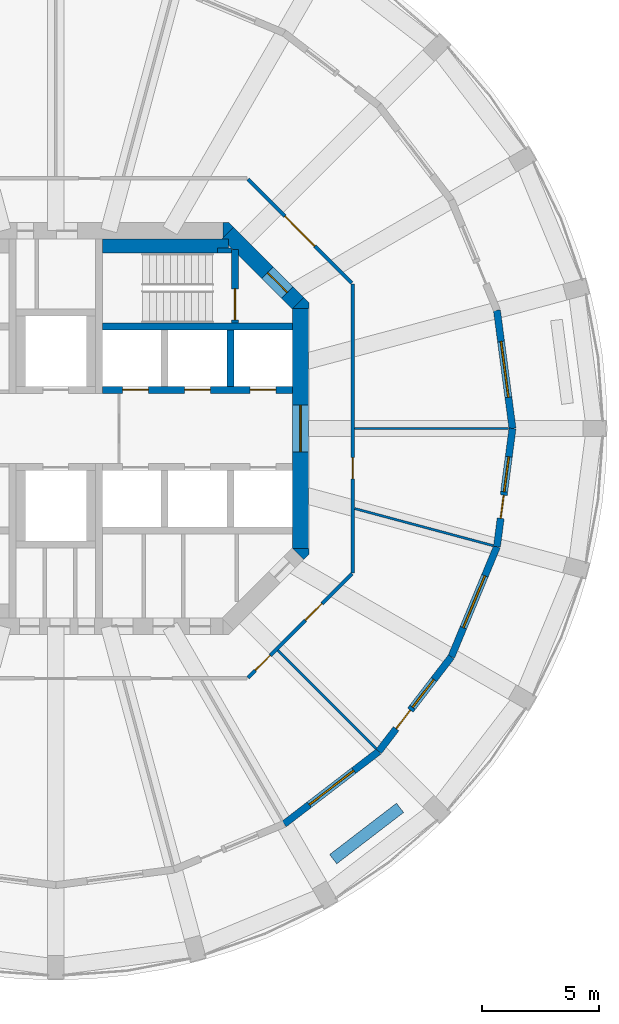
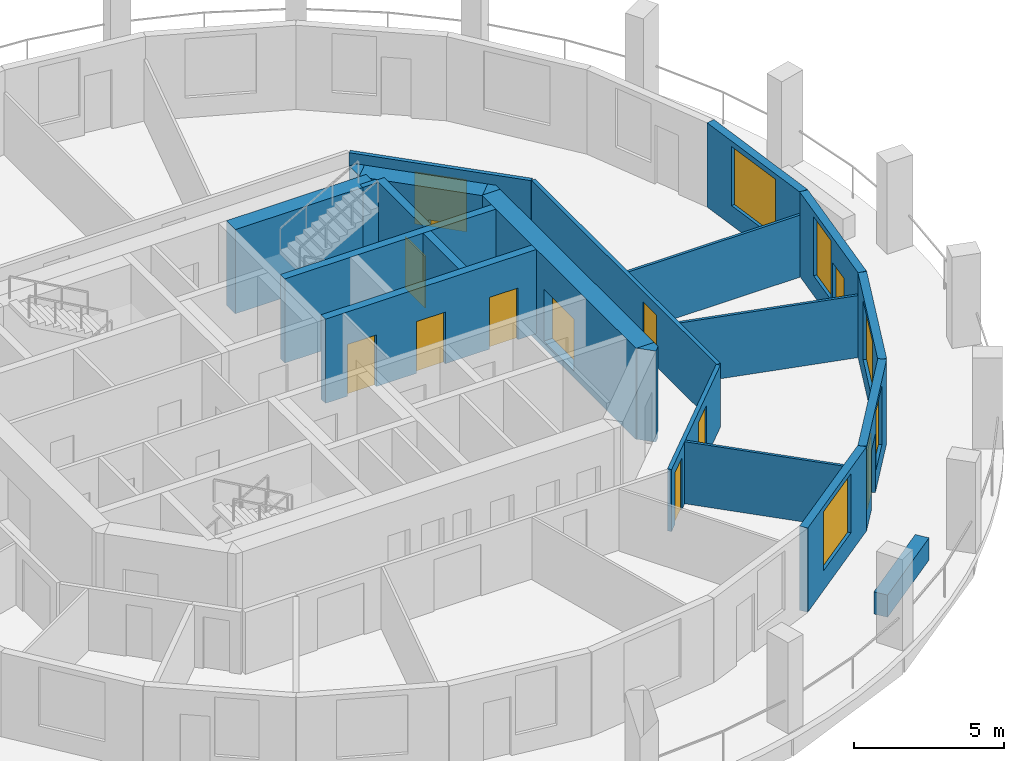
# One storey, part 5 of 9: 23 walls, 12 doors, 5 windows, 17 openings.
"""IFC4 building model written with IfcOpenShell, lengths in metres."""

from ifc_helpers import new_model, si_unit, direction, frame, frame_2d, origin, place, context, subcontext, project, spatial, polyline, rectangle, outline, extrude, material, layer, layer_set, type_object, element, fill, save


model = new_model("IFC4")

# Units and contexts
model_context = context("Model", 3, precision=1e-05, world=origin(), true_north=direction((0.0, 1.0)))
body_context = subcontext(model_context, "Body", "Model", "MODEL_VIEW")
ifc_project = project(units=[si_unit("LENGTHUNIT", "METRE"), si_unit("AREAUNIT", "SQUARE_METRE"), si_unit("VOLUMEUNIT", "CUBIC_METRE"), si_unit("PLANEANGLEUNIT", "RADIAN"), si_unit("MASSUNIT", "GRAM", prefix="KILO")], contexts=[model_context])

# Site, building, storey
site_placement = place(None, origin())
site = spatial("IfcSite", under=ifc_project, at=site_placement, CompositionType="ELEMENT")
building_placement = place(site_placement, origin())
building = spatial("IfcBuilding", under=site, at=building_placement, Name="Torre Triforio", CompositionType="ELEMENT")
storey_placement = place(building_placement, frame((0.0, 0.0, 215.0)))
storey = spatial("IfcBuildingStorey", under=building, at=storey_placement, Name="L49", CompositionType="ELEMENT", Elevation=215.0)

# Wall, opening, door
ifc_material_1 = material(Name="Concrete C50", Category="concrete")
ifc_layer_1 = layer(ifc_material_1, 0.699951171875)
ifc_layer_set_1 = layer_set([ifc_layer_1], Name="Concrete C50")
wall_type_1 = type_object("IfcWallType", Name="Core wall 700 mm C50 EI 120", PredefinedType="SHEAR", material=ifc_layer_set_1)
wall_1_placement = place(storey_placement, frame((10.449951171875, -5.1298828125, -0.280029296875), z_axis=(0.0, 0.0, 1.0), x_axis=(0.0, 1.0, 0.0)))
wall_1 = element("IfcWall", 1, at=wall_1_placement, inside=storey, type_object=wall_type_1, Name="Core wall", PredefinedType="SHEAR", context=body_context, shape_type="SweptSolid", body=[
    extrude(rectangle(XDim=10.259765625, YDim=0.699951171875, at=frame_2d((5.1298828125, 0.0))), origin(), (0.0, 0.0, 1.0), 3.699951171875),
])
opening_1_placement = place(wall_1_placement, frame((4.1298828125, 0.0, 0.280029296875)))
opening_1 = element("IfcOpeningElement", 2, at=opening_1_placement, cuts=wall_1, Name="Opening E-RING", PredefinedType="OPENING", context=body_context, shape_type="SweptSolid", body=[
    extrude(rectangle(XDim=2.0, YDim=2.10009765625, at=frame_2d((1.0, 1.050048828125))), frame((0.0, 0.35986328125, 0.0), z_axis=(0.0, -1.0, 0.0), x_axis=(1.0, 0.0, 0.0)), (0.0, 0.0, 1.0), 0.719970703125),
])
ifc_material_2 = material(Name="Hollow metal fire door leaf")
door_type_1 = type_object("IfcDoorType", Name="Lobby door 2000 x 2100 EI 60", OperationType="DOUBLE_DOOR_SINGLE_SWING", PredefinedType="DOOR", material=ifc_material_2)
door_1_placement = place(opening_1_placement, origin())
door_1 = element("IfcDoor", 3, at=door_1_placement, inside=storey, type_object=door_type_1, Name="Core door E-RING", OperationType="DOUBLE_DOOR_SINGLE_SWING", OverallHeight=2.10009765625, OverallWidth=2.0, PredefinedType="DOOR", context=body_context, shape_type="SweptSolid", body=[
    extrude(rectangle(XDim=2.0, YDim=2.10009765625, at=frame_2d((1.0, 1.050048828125))), frame((0.0, 0.02490234375, 0.0), z_axis=(0.0, -1.0, 0.0), x_axis=(1.0, 0.0, 0.0)), (0.0, 0.0, 1.0), 0.050048828125),
])
fill(opening_1, door_1)

wall_2_placement = place(storey_placement, frame((7.347412109375, 8.347412109375, -0.280029296875), z_axis=(0.0, 0.0, 1.0), x_axis=(0.707106781187, -0.707106781187, 0.0)))
wall_2 = element("IfcWall", 4, at=wall_2_placement, inside=storey, type_object=wall_type_1, Name="Core wall", PredefinedType="SHEAR", context=body_context, shape_type="SweptSolid", body=[
    extrude(rectangle(XDim=4.24267578125, YDim=0.699951171875, at=frame_2d((2.121337890625, 0.0))), origin(), (0.0, 0.0, 1.0), 3.699951171875),
])
opening_2_placement = place(wall_2_placement, frame((2.392578125, 0.0, 0.280029296875)))
opening_2 = element("IfcOpeningElement", 5, at=opening_2_placement, cuts=wall_2, Name="Opening ST2-EXIT", PredefinedType="OPENING", context=body_context, shape_type="SweptSolid", body=[
    extrude(rectangle(XDim=1.199951171875, YDim=2.10009765625, at=frame_2d((0.60009765625, 1.050048828125))), frame((0.0, 0.35986328125, 0.0), z_axis=(0.0, -1.0, 0.0), x_axis=(1.0, 0.0, 0.0)), (0.0, 0.0, 1.0), 0.719970703125),
])
door_type_2 = type_object("IfcDoorType", Name="Stair lobby door 1200 x 2100 EI 60", OperationType="NOTDEFINED", PredefinedType="DOOR", material=ifc_material_2)
door_2_placement = place(opening_2_placement, origin())
door_2 = element("IfcDoor", 6, at=door_2_placement, inside=storey, type_object=door_type_2, Name="Core door ST2-EXIT", OperationType="SINGLE_SWING_RIGHT", OverallHeight=2.10009765625, OverallWidth=1.199951171875, PredefinedType="DOOR", context=body_context, shape_type="SweptSolid", body=[
    extrude(rectangle(XDim=1.199951171875, YDim=2.10009765625, at=frame_2d((0.60009765625, 1.050048828125))), frame((0.0, 0.02490234375, 0.0), z_axis=(0.0, -1.0, 0.0), x_axis=(1.0, 0.0, 0.0)), (0.0, 0.0, 1.0), 0.050048828125),
])
fill(opening_2, door_2)

# Walls
wall_3_placement = place(storey_placement, frame((0.0, 0.0, -0.280029296875)))
element("IfcWall", 7, at=wall_3_placement, inside=storey, type_object=wall_type_1, Name="Core wall", PredefinedType="SHEAR", context=body_context, shape_type="SweptSolid", body=[
    extrude(outline(polyline([(10.800048828125, -5.389892578125), (10.594970703125, -5.594970703125), (10.594970703125, -5.594970703125), (10.594970703125, -5.594970703125), (10.1298828125, -5.1298828125), (10.800048828125, -5.1298828125), (10.800048828125, -5.1298828125), (10.800048828125, -5.389892578125)])), origin(), (0.0, 0.0, 1.0), 3.699951171875),
])
wall_4_placement = place(storey_placement, frame((0.0, 0.0, -0.280029296875)))
element("IfcWall", 8, at=wall_4_placement, inside=storey, type_object=wall_type_1, Name="Core wall", PredefinedType="SHEAR", context=body_context, shape_type="SweptSolid", body=[
    extrude(outline(polyline([(10.800048828125, 5.389892578125), (10.800048828125, 5.1298828125), (10.800048828125, 5.1298828125), (10.1298828125, 5.1298828125), (10.594970703125, 5.594970703125), (10.594970703125, 5.594970703125), (10.594970703125, 5.594970703125), (10.800048828125, 5.389892578125)])), origin(), (0.0, 0.0, 1.0), 3.699951171875),
])
wall_5_placement = place(storey_placement, frame((0.0, 0.0, -0.280029296875)))
element("IfcWall", 9, at=wall_5_placement, inside=storey, type_object=wall_type_1, Name="Core wall", PredefinedType="SHEAR", context=body_context, shape_type="SweptSolid", body=[
    extrude(outline(polyline([(7.389892578125, 8.800048828125), (7.594970703125, 8.594970703125), (7.594970703125, 8.594970703125), (7.594970703125, 8.594970703125), (7.1298828125, 8.1298828125), (7.1298828125, 8.800048828125), (7.1298828125, 8.800048828125), (7.389892578125, 8.800048828125)])), origin(), (0.0, 0.0, 1.0), 3.699951171875),
])

# Wall, openings, doors
ifc_material_3 = material(Name="Plasterboard on metal studs")
ifc_layer_2 = layer(ifc_material_3, 0.14990234375)
ifc_layer_set_2 = layer_set([ifc_layer_2], Name="Plasterboard on metal studs")
wall_type_2 = type_object("IfcWallType", Name="Corridor and tenancy wall 150 mm EI 60", PredefinedType="PARTITIONING", material=ifc_layer_set_2)
wall_6_placement = place(storey_placement, frame((12.637939453125, -6.20361328125, 0.0), z_axis=(0.0, 0.0, 1.0), x_axis=(-0.707106781187, -0.707106781187, 0.0)))
wall_6 = element("IfcWall", 10, at=wall_6_placement, inside=storey, type_object=wall_type_2, Name="Partition 1", PredefinedType="PARTITIONING", context=body_context, shape_type="SweptSolid", body=[
    extrude(rectangle(XDim=6.27099609375, YDim=0.14990234375, at=frame_2d((3.135498046875, 0.0))), origin(), (0.0, 0.0, 1.0), 2.52001953125),
])
opening_3_placement = place(wall_6_placement, frame((4.935302734375, 0.0, 0.0)))
opening_3 = element("IfcOpeningElement", 11, at=opening_3_placement, cuts=wall_6, Name="Opening O6-03", PredefinedType="OPENING", context=body_context, shape_type="SweptSolid", body=[
    extrude(rectangle(XDim=0.89990234375, YDim=2.10009765625, at=frame_2d((0.449951171875, 1.050048828125))), frame((0.0, 0.0849609375, 0.0), z_axis=(0.0, -1.0, 0.0), x_axis=(1.0, 0.0, 0.0)), (0.0, 0.0, 1.0), 0.169921875),
])
opening_4_placement = place(wall_6_placement, frame((1.7998046875, 0.0, 0.0)))
opening_4 = element("IfcOpeningElement", 12, at=opening_4_placement, cuts=wall_6, Name="Opening O6-04", PredefinedType="OPENING", context=body_context, shape_type="SweptSolid", body=[
    extrude(rectangle(XDim=1.0, YDim=2.10009765625, at=frame_2d((0.5, 1.050048828125))), frame((0.0, 0.0849609375, 0.0), z_axis=(0.0, -1.0, 0.0), x_axis=(1.0, 0.0, 0.0)), (0.0, 0.0, 1.0), 0.169921875),
])
ifc_material_4 = material(Name="Timber", Category="wood")
door_type_3 = type_object("IfcDoorType", Name="Door 1000 x 2100 single leaf EI 30", OperationType="NOTDEFINED", PredefinedType="DOOR", material=ifc_material_4)
door_3_placement = place(opening_4_placement, origin())
door_3 = element("IfcDoor", 13, at=door_3_placement, inside=storey, type_object=door_type_3, Name="Door O6-04", OperationType="SINGLE_SWING_RIGHT", OverallHeight=2.10009765625, OverallWidth=1.0, PredefinedType="DOOR", context=body_context, shape_type="SweptSolid", body=[
    extrude(rectangle(XDim=1.0, YDim=2.10009765625, at=frame_2d((0.5, 1.050048828125))), frame((0.0, 0.02490234375, 0.0), z_axis=(0.0, -1.0, 0.0), x_axis=(1.0, 0.0, 0.0)), (0.0, 0.0, 1.0), 0.050048828125),
])
fill(opening_4, door_3)
door_type_4 = type_object("IfcDoorType", Name="Door 900 x 2100 single leaf EI 30", OperationType="NOTDEFINED", PredefinedType="DOOR", material=ifc_material_4)
door_4_placement = place(opening_3_placement, origin())
door_4 = element("IfcDoor", 14, at=door_4_placement, inside=storey, type_object=door_type_4, Name="Door O6-03", OperationType="SINGLE_SWING_LEFT", OverallHeight=2.10009765625, OverallWidth=0.89990234375, PredefinedType="DOOR", context=body_context, shape_type="SweptSolid", body=[
    extrude(rectangle(XDim=0.89990234375, YDim=2.10009765625, at=frame_2d((0.449951171875, 1.050048828125))), frame((0.0, 0.02490234375, 0.0), z_axis=(0.0, -1.0, 0.0), x_axis=(1.0, 0.0, 0.0)), (0.0, 0.0, 1.0), 0.050048828125),
])
fill(opening_3, door_4)

# Wall, opening, door
wall_7_placement = place(storey_placement, frame((8.20361328125, 10.637939453125, 0.0), z_axis=(0.0, 0.0, 1.0), x_axis=(0.707106781187, -0.707106781187, 0.0)))
wall_7 = element("IfcWall", 15, at=wall_7_placement, inside=storey, type_object=wall_type_2, Name="Partition 9", PredefinedType="PARTITIONING", context=body_context, shape_type="SweptSolid", body=[
    extrude(rectangle(XDim=6.27099609375, YDim=0.14990234375, at=frame_2d((3.135498046875, 0.0))), origin(), (0.0, 0.0, 1.0), 2.52001953125),
])
opening_5_placement = place(wall_7_placement, frame((2.2353515625, 0.0, 0.0)))
opening_5 = element("IfcOpeningElement", 16, at=opening_5_placement, cuts=wall_7, Name="Opening O6-06", PredefinedType="OPENING", context=body_context, shape_type="SweptSolid", body=[
    extrude(rectangle(XDim=1.800048828125, YDim=2.10009765625, at=frame_2d((0.89990234375, 1.050048828125))), frame((0.0, 0.0849609375, 0.0), z_axis=(0.0, -1.0, 0.0), x_axis=(1.0, 0.0, 0.0)), (0.0, 0.0, 1.0), 0.169921875),
])
door_type_5 = type_object("IfcDoorType", Name="Door 1800 x 2100 double leaf EI 30", OperationType="DOUBLE_DOOR_SINGLE_SWING", PredefinedType="DOOR", material=ifc_material_4)
door_5_placement = place(opening_5_placement, origin())
door_5 = element("IfcDoor", 17, at=door_5_placement, inside=storey, type_object=door_type_5, Name="Door O6-06", OperationType="DOUBLE_DOOR_SINGLE_SWING", OverallHeight=2.10009765625, OverallWidth=1.800048828125, PredefinedType="DOOR", context=body_context, shape_type="SweptSolid", body=[
    extrude(rectangle(XDim=1.800048828125, YDim=2.10009765625, at=frame_2d((0.89990234375, 1.050048828125))), frame((0.0, 0.02490234375, 0.0), z_axis=(0.0, -1.0, 0.0), x_axis=(1.0, 0.0, 0.0)), (0.0, 0.0, 1.0), 0.050048828125),
])
fill(opening_5, door_5)

wall_8_placement = place(storey_placement, frame((12.675048828125, 6.16650390625, 0.0), z_axis=(0.0, 0.0, 1.0), x_axis=(0.0, -1.0, 0.0)))
wall_8 = element("IfcWall", 18, at=wall_8_placement, inside=storey, type_object=wall_type_2, Name="Partition 10", PredefinedType="PARTITIONING", context=body_context, shape_type="SweptSolid", body=[
    extrude(rectangle(XDim=12.3330078125, YDim=0.14990234375, at=frame_2d((6.16650390625, 0.0))), origin(), (0.0, 0.0, 1.0), 2.52001953125),
])
opening_6_placement = place(wall_8_placement, frame((7.41552734375, 0.0, 0.0)))
opening_6 = element("IfcOpeningElement", 19, at=opening_6_placement, cuts=wall_8, Name="Opening O6-05", PredefinedType="OPENING", context=body_context, shape_type="SweptSolid", body=[
    extrude(rectangle(XDim=0.89990234375, YDim=2.10009765625, at=frame_2d((0.449951171875, 1.050048828125))), frame((0.0, 0.0849609375, 0.0), z_axis=(0.0, -1.0, 0.0), x_axis=(1.0, 0.0, 0.0)), (0.0, 0.0, 1.0), 0.169921875),
])
door_6_placement = place(opening_6_placement, origin())
door_6 = element("IfcDoor", 20, at=door_6_placement, inside=storey, type_object=door_type_4, Name="Door O6-05", OperationType="SINGLE_SWING_LEFT", OverallHeight=2.10009765625, OverallWidth=0.89990234375, PredefinedType="DOOR", context=body_context, shape_type="SweptSolid", body=[
    extrude(rectangle(XDim=0.89990234375, YDim=2.10009765625, at=frame_2d((0.449951171875, 1.050048828125))), frame((0.0, 0.02490234375, 0.0), z_axis=(0.0, -1.0, 0.0), x_axis=(1.0, 0.0, 0.0)), (0.0, 0.0, 1.0), 0.050048828125),
])
fill(opening_6, door_6)

# Walls
ifc_layer_3 = layer(ifc_material_3, 0.10009765625)
ifc_layer_set_3 = layer_set([ifc_layer_3], Name="Plasterboard on metal studs")
wall_type_3 = type_object("IfcWallType", Name="Partition 100 mm board on metal studs", PredefinedType="PARTITIONING", material=ifc_layer_set_3)
wall_9_placement = place(storey_placement, frame((12.75, 0.0, 0.0), z_axis=(0.0, 0.0, 1.0), x_axis=(1.0, 0.0, 0.0)))
element("IfcWall", 21, at=wall_9_placement, inside=storey, type_object=wall_type_3, Name="Partition 11", PredefinedType="PARTITIONING", context=body_context, shape_type="SweptSolid", body=[
    extrude(rectangle(XDim=6.586669921875, YDim=0.10009765625, at=frame_2d((3.29345703125, 0.0))), origin(), (0.0, 0.0, 1.0), 2.52001953125),
])
wall_10_placement = place(storey_placement, frame((9.473876953125, -9.473876953125, 0.0), z_axis=(0.0, 0.0, 1.0), x_axis=(0.707106781187, -0.707106781187, 0.0)))
element("IfcWall", 22, at=wall_10_placement, inside=storey, type_object=wall_type_3, Name="Partition 26", PredefinedType="PARTITIONING", context=body_context, shape_type="SweptSolid", body=[
    extrude(rectangle(XDim=5.9384765625, YDim=0.10009765625, at=frame_2d((2.96923828125, 0.0))), origin(), (0.0, 0.0, 1.0), 2.52001953125),
])
wall_11_placement = place(storey_placement, frame((12.764404296875, -3.420166015625, 0.0), z_axis=(0.0, 0.0, 1.0), x_axis=(0.965925800266, -0.258819142221, 0.0)))
element("IfcWall", 23, at=wall_11_placement, inside=storey, type_object=wall_type_3, Name="Partition 27", PredefinedType="PARTITIONING", context=body_context, shape_type="SweptSolid", body=[
    extrude(rectangle(XDim=6.121826171875, YDim=0.10009765625, at=frame_2d((3.06103515625, 0.0))), origin(), (0.0, 0.0, 1.0), 2.52001953125),
])
ifc_material_5 = material(Name="Limestone cladding", Category="masonry")
ifc_layer_4 = layer(ifc_material_5, 0.10009765625)
ifc_material_6 = material(Name="Concrete C40", Category="concrete")
ifc_layer_5 = layer(ifc_material_6, 0.39990234375)
ifc_layer_set_4 = layer_set([ifc_layer_4, ifc_layer_5], Name="Limestone cladding / Concrete C40")
wall_type_4 = type_object("IfcWallType", Name="Planter wall 500", PredefinedType="PARAPET", material=ifc_layer_set_4)
wall_12_placement = place(storey_placement, frame((11.843017578125, -18.390869140625, 0.0), z_axis=(0.0, 0.0, 1.0), x_axis=(0.793326845617, 0.608795955984, 0.0)))
element("IfcWall", 24, at=wall_12_placement, inside=storey, type_object=wall_type_4, Name="Planter L49 bay 21", PredefinedType="PARAPET", context=body_context, shape_type="SweptSolid", body=[
    extrude(rectangle(XDim=3.599853515625, YDim=0.5, at=frame_2d((1.7998046875, 0.0))), origin(), (0.0, 0.0, 1.0), 0.89990234375),
])
ifc_layer_6 = layer(ifc_material_1, 0.300048828125)
ifc_layer_set_5 = layer_set([ifc_layer_6], Name="Concrete C50")
wall_type_5 = type_object("IfcWallType", Name="Shaft wall 300 mm C50 EI 120", PredefinedType="SOLIDWALL", material=ifc_layer_set_5)
wall_13_placement = place(storey_placement, frame((2.0, 4.35009765625, 0.0), z_axis=(0.0, 0.0, 1.0), x_axis=(1.0, 0.0, 0.0)))
element("IfcWall", 25, at=wall_13_placement, inside=storey, type_object=wall_type_5, Name="Shaft wall", PredefinedType="SOLIDWALL", context=body_context, shape_type="SweptSolid", body=[
    extrude(rectangle(XDim=8.10009765625, YDim=0.300048828125, at=frame_2d((4.050048828125, 0.0))), origin(), (0.0, 0.0, 1.0), 3.419921875),
])

# Wall, openings, doors
wall_14_placement = place(storey_placement, frame((2.0, 1.64990234375, 0.0), z_axis=(0.0, 0.0, 1.0), x_axis=(1.0, 0.0, 0.0)))
wall_14 = element("IfcWall", 26, at=wall_14_placement, inside=storey, type_object=wall_type_5, Name="Shaft wall", PredefinedType="SOLIDWALL", context=body_context, shape_type="SweptSolid", body=[
    extrude(rectangle(XDim=8.10009765625, YDim=0.300048828125, at=frame_2d((4.050048828125, 0.0))), origin(), (0.0, 0.0, 1.0), 3.419921875),
])
opening_7_placement = place(wall_14_placement, frame((0.85009765625, 0.0, 0.0)))
opening_7 = element("IfcOpeningElement", 27, at=opening_7_placement, cuts=wall_14, Name="Opening LD", PredefinedType="OPENING", context=body_context, shape_type="SweptSolid", body=[
    extrude(rectangle(XDim=1.10009765625, YDim=2.10009765625, at=frame_2d((0.550048828125, 1.050048828125))), frame((0.0, 0.159912109375, 0.0), z_axis=(0.0, -1.0, 0.0), x_axis=(1.0, 0.0, 0.0)), (0.0, 0.0, 1.0), 0.320068359375),
])
opening_8_placement = place(wall_14_placement, frame((3.5, 0.0, 0.0)))
opening_8 = element("IfcOpeningElement", 28, at=opening_8_placement, cuts=wall_14, Name="Opening LD", PredefinedType="OPENING", context=body_context, shape_type="SweptSolid", body=[
    extrude(rectangle(XDim=1.10009765625, YDim=2.10009765625, at=frame_2d((0.550048828125, 1.050048828125))), frame((0.0, 0.159912109375, 0.0), z_axis=(0.0, -1.0, 0.0), x_axis=(1.0, 0.0, 0.0)), (0.0, 0.0, 1.0), 0.320068359375),
])
opening_9_placement = place(wall_14_placement, frame((6.300048828125, 0.0, 0.0)))
opening_9 = element("IfcOpeningElement", 29, at=opening_9_placement, cuts=wall_14, Name="Opening LD", PredefinedType="OPENING", context=body_context, shape_type="SweptSolid", body=[
    extrude(rectangle(XDim=1.10009765625, YDim=2.10009765625, at=frame_2d((0.550048828125, 1.050048828125))), frame((0.0, 0.159912109375, 0.0), z_axis=(0.0, -1.0, 0.0), x_axis=(1.0, 0.0, 0.0)), (0.0, 0.0, 1.0), 0.320068359375),
])
door_type_6 = type_object("IfcDoorType", Name="Landing door 1100 x 2100 EI 60", OperationType="DOUBLE_DOOR_SLIDING", PredefinedType="DOOR", material=ifc_material_2)
door_7_placement = place(opening_7_placement, origin())
door_7 = element("IfcDoor", 30, at=door_7_placement, inside=storey, type_object=door_type_6, Name="Landing door HR1", OperationType="DOUBLE_DOOR_SLIDING", OverallHeight=2.10009765625, OverallWidth=1.10009765625, PredefinedType="DOOR", context=body_context, shape_type="SweptSolid", body=[
    extrude(rectangle(XDim=1.10009765625, YDim=2.10009765625, at=frame_2d((0.550048828125, 1.050048828125))), frame((0.0, 0.02490234375, 0.0), z_axis=(0.0, -1.0, 0.0), x_axis=(1.0, 0.0, 0.0)), (0.0, 0.0, 1.0), 0.050048828125),
])
fill(opening_7, door_7)
door_8_placement = place(opening_8_placement, origin())
door_8 = element("IfcDoor", 31, at=door_8_placement, inside=storey, type_object=door_type_6, Name="Landing door HR2", OperationType="DOUBLE_DOOR_SLIDING", OverallHeight=2.10009765625, OverallWidth=1.10009765625, PredefinedType="DOOR", context=body_context, shape_type="SweptSolid", body=[
    extrude(rectangle(XDim=1.10009765625, YDim=2.10009765625, at=frame_2d((0.550048828125, 1.050048828125))), frame((0.0, 0.02490234375, 0.0), z_axis=(0.0, -1.0, 0.0), x_axis=(1.0, 0.0, 0.0)), (0.0, 0.0, 1.0), 0.050048828125),
])
fill(opening_8, door_8)
door_9_placement = place(opening_9_placement, origin())
door_9 = element("IfcDoor", 32, at=door_9_placement, inside=storey, type_object=door_type_6, Name="Landing door HR3", OperationType="DOUBLE_DOOR_SLIDING", OverallHeight=2.10009765625, OverallWidth=1.10009765625, PredefinedType="DOOR", context=body_context, shape_type="SweptSolid", body=[
    extrude(rectangle(XDim=1.10009765625, YDim=2.10009765625, at=frame_2d((0.550048828125, 1.050048828125))), frame((0.0, 0.02490234375, 0.0), z_axis=(0.0, -1.0, 0.0), x_axis=(1.0, 0.0, 0.0)), (0.0, 0.0, 1.0), 0.050048828125),
])
fill(opening_9, door_9)

# Walls
wall_15_placement = place(storey_placement, frame((7.449951171875, 1.800048828125, 0.0), z_axis=(0.0, 0.0, 1.0), x_axis=(0.0, 1.0, 0.0)))
element("IfcWall", 33, at=wall_15_placement, inside=storey, type_object=wall_type_5, Name="Shaft wall", PredefinedType="SOLIDWALL", context=body_context, shape_type="SweptSolid", body=[
    extrude(rectangle(XDim=2.39990234375, YDim=0.300048828125, at=frame_2d((1.199951171875, 0.0))), origin(), (0.0, 0.0, 1.0), 3.419921875),
])
ifc_layer_7 = layer(ifc_material_1, 0.199951171875)
ifc_layer_set_6 = layer_set([ifc_layer_7], Name="Concrete C50")
wall_type_6 = type_object("IfcWallType", Name="Stair wall 200 mm C50 EI 120", PredefinedType="SHEAR", material=ifc_layer_set_6)
wall_16_placement = place(storey_placement, frame((6.89990234375, 7.60009765625, 0.0), z_axis=(0.0, 0.0, 1.0), x_axis=(1.0, 0.0, 0.0)))
element("IfcWall", 34, at=wall_16_placement, inside=storey, type_object=wall_type_6, Name="Stair wall", PredefinedType="SHEAR", context=body_context, shape_type="SweptSolid", body=[
    extrude(rectangle(XDim=0.60009765625, YDim=0.199951171875, at=frame_2d((0.300048828125, 0.0))), origin(), (0.0, 0.0, 1.0), 3.419921875),
])

# Wall, opening, door
ifc_layer_8 = layer(ifc_material_1, 0.300048828125)
ifc_layer_set_7 = layer_set([ifc_layer_8], Name="Concrete C50")
wall_type_7 = type_object("IfcWallType", Name="Stair wall 300 mm C50 EI 120", PredefinedType="SHEAR", material=ifc_layer_set_7)
wall_17_placement = place(storey_placement, frame((7.64990234375, 4.5, 0.0), z_axis=(0.0, 0.0, 1.0), x_axis=(0.0, 1.0, 0.0)))
wall_17 = element("IfcWall", 35, at=wall_17_placement, inside=storey, type_object=wall_type_7, Name="Stair wall", PredefinedType="SHEAR", context=body_context, shape_type="SweptSolid", body=[
    extrude(rectangle(XDim=3.139892578125, YDim=0.300048828125, at=frame_2d((1.56982421875, 0.0))), origin(), (0.0, 0.0, 1.0), 3.419921875),
])
opening_10_placement = place(wall_17_placement, frame((0.139892578125, 0.0, 0.0)))
opening_10 = element("IfcOpeningElement", 36, at=opening_10_placement, cuts=wall_17, Name="Opening ST2-STA", PredefinedType="OPENING", context=body_context, shape_type="SweptSolid", body=[
    extrude(rectangle(XDim=1.320068359375, YDim=2.10009765625, at=frame_2d((0.66015625, 1.050048828125))), frame((0.0, 0.159912109375, 0.0), z_axis=(0.0, -1.0, 0.0), x_axis=(1.0, 0.0, 0.0)), (0.0, 0.0, 1.0), 0.320068359375),
])
door_type_7 = type_object("IfcDoorType", Name="Stair door 1320 x 2100 EI 90", OperationType="DOUBLE_DOOR_SINGLE_SWING", PredefinedType="DOOR", material=ifc_material_2)
door_10_placement = place(opening_10_placement, origin())
door_10 = element("IfcDoor", 37, at=door_10_placement, inside=storey, type_object=door_type_7, Name="Core door ST2-ST", OperationType="DOUBLE_DOOR_SINGLE_SWING", OverallHeight=2.10009765625, OverallWidth=1.320068359375, PredefinedType="DOOR", context=body_context, shape_type="SweptSolid", body=[
    extrude(rectangle(XDim=1.320068359375, YDim=2.10009765625, at=frame_2d((0.66015625, 1.050048828125))), frame((0.0, 0.02490234375, 0.0), z_axis=(0.0, -1.0, 0.0), x_axis=(1.0, 0.0, 0.0)), (0.0, 0.0, 1.0), 0.050048828125),
])
fill(opening_10, door_10)

# Wall
ifc_layer_9 = layer(ifc_material_1, 0.60009765625)
ifc_layer_set_8 = layer_set([ifc_layer_9], Name="Concrete C50")
wall_type_8 = type_object("IfcWallType", Name="Stair wall 600 mm C50 EI 120", PredefinedType="SHEAR", material=ifc_layer_set_8)
wall_18_placement = place(storey_placement, frame((2.0, 7.800048828125, 0.0), z_axis=(0.0, 0.0, 1.0), x_axis=(1.0, 0.0, 0.0)))
element("IfcWall", 38, at=wall_18_placement, inside=storey, type_object=wall_type_8, Name="Stair wall", PredefinedType="SHEAR", context=body_context, shape_type="SweptSolid", body=[
    extrude(rectangle(XDim=5.3701171875, YDim=0.60009765625, at=frame_2d((2.68505859375, 0.0))), origin(), (0.0, 0.0, 1.0), 3.419921875),
])

# Wall, opening, window
ifc_layer_10 = layer(ifc_material_5, 0.10009765625)
ifc_layer_11 = layer(ifc_material_6, 0.199951171875)
ifc_layer_set_9 = layer_set([ifc_layer_10, ifc_layer_11], Name="Limestone cladding / Concrete C40")
wall_type_9 = type_object("IfcWallType", Name="Stone-faced composite wall 300", PredefinedType="STANDARD", material=ifc_layer_set_9)
wall_19_placement = place(storey_placement, frame((19.5, 0.0, 0.0), z_axis=(0.0, 0.0, 1.0), x_axis=(-0.130495451964, 0.99144890792, 0.0)))
wall_19 = element("IfcWall", 39, at=wall_19_placement, inside=storey, type_object=wall_type_9, Name="External wall L49 bay 01", PredefinedType="STANDARD", context=body_context, shape_type="SweptSolid", body=[
    extrude(rectangle(XDim=5.090576171875, YDim=0.300048828125, at=frame_2d((2.54541015625, 0.0))), origin(), (0.0, 0.0, 1.0), 3.419921875),
])
opening_11_placement = place(wall_19_placement, frame((1.34521484375, 0.0, 0.800048828125)))
opening_11 = element("IfcOpeningElement", 40, at=opening_11_placement, cuts=wall_19, Name="Opening O6-W01", PredefinedType="OPENING", context=body_context, shape_type="SweptSolid", body=[
    extrude(rectangle(XDim=2.39990234375, YDim=2.39990234375, at=frame_2d((1.199951171875, 1.199951171875))), frame((0.0, 0.159912109375, 0.0), z_axis=(0.0, -1.0, 0.0), x_axis=(1.0, 0.0, 0.0)), (0.0, 0.0, 1.0), 0.320068359375),
])
ifc_material_7 = material(Name="Aluminium frame with clear double glazing", Category="aluminium")
window_type_1 = type_object("IfcWindowType", Name="Punched window 2400 x 2400", PartitioningType="DOUBLE_PANEL_VERTICAL", PredefinedType="WINDOW", material=ifc_material_7)
window_1_placement = place(opening_11_placement, origin())
window_1 = element("IfcWindow", 41, at=window_1_placement, inside=storey, type_object=window_type_1, Name="Window EWN4 L49 bay 01", OverallHeight=2.39990234375, OverallWidth=2.39990234375, PartitioningType="SINGLE_PANEL", PredefinedType="WINDOW", context=body_context, shape_type="SweptSolid", body=[
    extrude(rectangle(XDim=2.39990234375, YDim=2.39990234375, at=frame_2d((1.199951171875, 1.199951171875))), frame((0.0, 0.030029296875, 0.0), z_axis=(0.0, -1.0, 0.0), x_axis=(1.0, 0.0, 0.0)), (0.0, 0.0, 1.0), 0.06005859375),
])
fill(opening_11, window_1)

wall_20_placement = place(storey_placement, frame((9.75, -16.887451171875, 0.0), z_axis=(0.0, 0.0, 1.0), x_axis=(0.79335619014, 0.608757714995, 0.0)))
wall_20 = element("IfcWall", 42, at=wall_20_placement, inside=storey, type_object=wall_type_9, Name="External wall L49 bay 21", PredefinedType="STANDARD", context=body_context, shape_type="SweptSolid", body=[
    extrude(rectangle(XDim=5.090576171875, YDim=0.300048828125, at=frame_2d((2.54541015625, 0.0))), origin(), (0.0, 0.0, 1.0), 3.419921875),
])
opening_12_placement = place(wall_20_placement, frame((1.34521484375, 0.0, 0.800048828125)))
opening_12 = element("IfcOpeningElement", 43, at=opening_12_placement, cuts=wall_20, Name="Opening O6-W21", PredefinedType="OPENING", context=body_context, shape_type="SweptSolid", body=[
    extrude(rectangle(XDim=2.39990234375, YDim=2.39990234375, at=frame_2d((1.199951171875, 1.199951171875))), frame((0.0, 0.159912109375, 0.0), z_axis=(0.0, -1.0, 0.0), x_axis=(1.0, 0.0, 0.0)), (0.0, 0.0, 1.0), 0.320068359375),
])
window_2_placement = place(opening_12_placement, origin())
window_2 = element("IfcWindow", 44, at=window_2_placement, inside=storey, type_object=window_type_1, Name="Window EWN4 L49 bay 21", OverallHeight=2.39990234375, OverallWidth=2.39990234375, PartitioningType="SINGLE_PANEL", PredefinedType="WINDOW", context=body_context, shape_type="SweptSolid", body=[
    extrude(rectangle(XDim=2.39990234375, YDim=2.39990234375, at=frame_2d((1.199951171875, 1.199951171875))), frame((0.0, 0.030029296875, 0.0), z_axis=(0.0, -1.0, 0.0), x_axis=(1.0, 0.0, 0.0)), (0.0, 0.0, 1.0), 0.06005859375),
])
fill(opening_12, window_2)

# Wall, openings, door, window
wall_21_placement = place(storey_placement, frame((13.78857421875, -13.78857421875, 0.0), z_axis=(0.0, 0.0, 1.0), x_axis=(0.608757714995, 0.79335619014, 0.0)))
wall_21 = element("IfcWall", 45, at=wall_21_placement, inside=storey, type_object=wall_type_9, Name="External wall L49 bay 22", PredefinedType="STANDARD", context=body_context, shape_type="SweptSolid", body=[
    extrude(rectangle(XDim=5.090576171875, YDim=0.300048828125, at=frame_2d((2.54541015625, 0.0))), origin(), (0.0, 0.0, 1.0), 3.419921875),
])
opening_13_placement = place(wall_21_placement, frame((1.22021484375, 0.0, 0.0)))
opening_13 = element("IfcOpeningElement", 46, at=opening_13_placement, cuts=wall_21, Name="Opening O6-D22", PredefinedType="OPENING", context=body_context, shape_type="SweptSolid", body=[
    extrude(rectangle(XDim=1.0, YDim=2.39990234375, at=frame_2d((0.5, 1.199951171875))), frame((0.0, 0.159912109375, 0.0), z_axis=(0.0, -1.0, 0.0), x_axis=(1.0, 0.0, 0.0)), (0.0, 0.0, 1.0), 0.320068359375),
])
opening_14_placement = place(wall_21_placement, frame((2.370361328125, 0.0, 0.800048828125)))
opening_14 = element("IfcOpeningElement", 47, at=opening_14_placement, cuts=wall_21, Name="Opening O6-W22A", PredefinedType="OPENING", context=body_context, shape_type="SweptSolid", body=[
    extrude(rectangle(XDim=1.5, YDim=2.39990234375, at=frame_2d((0.75, 1.199951171875))), frame((0.0, 0.159912109375, 0.0), z_axis=(0.0, -1.0, 0.0), x_axis=(1.0, 0.0, 0.0)), (0.0, 0.0, 1.0), 0.320068359375),
])
door_type_8 = type_object("IfcDoorType", Name="Loggia door 1000 x 2400", OperationType="NOTDEFINED", PredefinedType="DOOR", material=ifc_material_7)
door_11_placement = place(opening_13_placement, origin())
door_11 = element("IfcDoor", 48, at=door_11_placement, inside=storey, type_object=door_type_8, Name="Loggia door L49 bay 22", OperationType="SINGLE_SWING_LEFT", OverallHeight=2.39990234375, OverallWidth=1.0, PredefinedType="DOOR", context=body_context, shape_type="SweptSolid", body=[
    extrude(rectangle(XDim=1.0, YDim=2.39990234375, at=frame_2d((0.5, 1.199951171875))), frame((0.0, 0.02490234375, 0.0), z_axis=(0.0, -1.0, 0.0), x_axis=(1.0, 0.0, 0.0)), (0.0, 0.0, 1.0), 0.050048828125),
])
fill(opening_13, door_11)
window_type_2 = type_object("IfcWindowType", Name="Side window 1500 x 2400", PartitioningType="SINGLE_PANEL", PredefinedType="WINDOW", material=ifc_material_7)
window_3_placement = place(opening_14_placement, origin())
window_3 = element("IfcWindow", 49, at=window_3_placement, inside=storey, type_object=window_type_2, Name="Side window EWN14 L49 bay 22", OverallHeight=2.39990234375, OverallWidth=1.5, PartitioningType="SINGLE_PANEL", PredefinedType="WINDOW", context=body_context, shape_type="SweptSolid", body=[
    extrude(rectangle(XDim=1.5, YDim=2.39990234375, at=frame_2d((0.75, 1.199951171875))), frame((0.0, 0.030029296875, 0.0), z_axis=(0.0, -1.0, 0.0), x_axis=(1.0, 0.0, 0.0)), (0.0, 0.0, 1.0), 0.06005859375),
])
fill(opening_14, window_3)

# Wall, opening, window
wall_22_placement = place(storey_placement, frame((16.887451171875, -9.75, 0.0), z_axis=(0.0, 0.0, 1.0), x_axis=(0.382724538613, 0.923862504675, 0.0)))
wall_22 = element("IfcWall", 50, at=wall_22_placement, inside=storey, type_object=wall_type_9, Name="External wall L49 bay 23", PredefinedType="STANDARD", context=body_context, shape_type="SweptSolid", body=[
    extrude(rectangle(XDim=5.090576171875, YDim=0.300048828125, at=frame_2d((2.54541015625, 0.0))), origin(), (0.0, 0.0, 1.0), 3.419921875),
])
opening_15_placement = place(wall_22_placement, frame((1.34521484375, 0.0, 0.800048828125)))
opening_15 = element("IfcOpeningElement", 51, at=opening_15_placement, cuts=wall_22, Name="Opening O6-W23", PredefinedType="OPENING", context=body_context, shape_type="SweptSolid", body=[
    extrude(rectangle(XDim=2.39990234375, YDim=2.39990234375, at=frame_2d((1.199951171875, 1.199951171875))), frame((0.0, 0.159912109375, 0.0), z_axis=(0.0, -1.0, 0.0), x_axis=(1.0, 0.0, 0.0)), (0.0, 0.0, 1.0), 0.320068359375),
])
window_4_placement = place(opening_15_placement, origin())
window_4 = element("IfcWindow", 52, at=window_4_placement, inside=storey, type_object=window_type_1, Name="Window EWN4 L49 bay 23", OverallHeight=2.39990234375, OverallWidth=2.39990234375, PartitioningType="SINGLE_PANEL", PredefinedType="WINDOW", context=body_context, shape_type="SweptSolid", body=[
    extrude(rectangle(XDim=2.39990234375, YDim=2.39990234375, at=frame_2d((1.199951171875, 1.199951171875))), frame((0.0, 0.030029296875, 0.0), z_axis=(0.0, -1.0, 0.0), x_axis=(1.0, 0.0, 0.0)), (0.0, 0.0, 1.0), 0.06005859375),
])
fill(opening_15, window_4)

# Wall, openings, door, window
wall_23_placement = place(storey_placement, frame((18.835693359375, -5.047119140625, 0.0), z_axis=(0.0, 0.0, 1.0), x_axis=(0.130495451964, 0.99144890792, 0.0)))
wall_23 = element("IfcWall", 53, at=wall_23_placement, inside=storey, type_object=wall_type_9, Name="External wall L49 bay 24", PredefinedType="STANDARD", context=body_context, shape_type="SweptSolid", body=[
    extrude(rectangle(XDim=5.090576171875, YDim=0.300048828125, at=frame_2d((2.54541015625, 0.0))), origin(), (0.0, 0.0, 1.0), 3.419921875),
])
opening_16_placement = place(wall_23_placement, frame((1.22021484375, 0.0, 0.0)))
opening_16 = element("IfcOpeningElement", 54, at=opening_16_placement, cuts=wall_23, Name="Opening O6-D24", PredefinedType="OPENING", context=body_context, shape_type="SweptSolid", body=[
    extrude(rectangle(XDim=1.0, YDim=2.39990234375, at=frame_2d((0.5, 1.199951171875))), frame((0.0, 0.159912109375, 0.0), z_axis=(0.0, -1.0, 0.0), x_axis=(1.0, 0.0, 0.0)), (0.0, 0.0, 1.0), 0.320068359375),
])
opening_17_placement = place(wall_23_placement, frame((2.370361328125, 0.0, 0.800048828125)))
opening_17 = element("IfcOpeningElement", 55, at=opening_17_placement, cuts=wall_23, Name="Opening O6-W24A", PredefinedType="OPENING", context=body_context, shape_type="SweptSolid", body=[
    extrude(rectangle(XDim=1.5, YDim=2.39990234375, at=frame_2d((0.75, 1.199951171875))), frame((0.0, 0.159912109375, 0.0), z_axis=(0.0, -1.0, 0.0), x_axis=(1.0, 0.0, 0.0)), (0.0, 0.0, 1.0), 0.320068359375),
])
door_12_placement = place(opening_16_placement, origin())
door_12 = element("IfcDoor", 56, at=door_12_placement, inside=storey, type_object=door_type_8, Name="Loggia door L49 bay 24", OperationType="SINGLE_SWING_LEFT", OverallHeight=2.39990234375, OverallWidth=1.0, PredefinedType="DOOR", context=body_context, shape_type="SweptSolid", body=[
    extrude(rectangle(XDim=1.0, YDim=2.39990234375, at=frame_2d((0.5, 1.199951171875))), frame((0.0, 0.02490234375, 0.0), z_axis=(0.0, -1.0, 0.0), x_axis=(1.0, 0.0, 0.0)), (0.0, 0.0, 1.0), 0.050048828125),
])
fill(opening_16, door_12)
window_5_placement = place(opening_17_placement, origin())
window_5 = element("IfcWindow", 57, at=window_5_placement, inside=storey, type_object=window_type_2, Name="Side window EWN14 L49 bay 24", OverallHeight=2.39990234375, OverallWidth=1.5, PartitioningType="SINGLE_PANEL", PredefinedType="WINDOW", context=body_context, shape_type="SweptSolid", body=[
    extrude(rectangle(XDim=1.5, YDim=2.39990234375, at=frame_2d((0.75, 1.199951171875))), frame((0.0, 0.030029296875, 0.0), z_axis=(0.0, -1.0, 0.0), x_axis=(1.0, 0.0, 0.0)), (0.0, 0.0, 1.0), 0.06005859375),
])
fill(opening_17, window_5)

save(model, "model.ifc")
